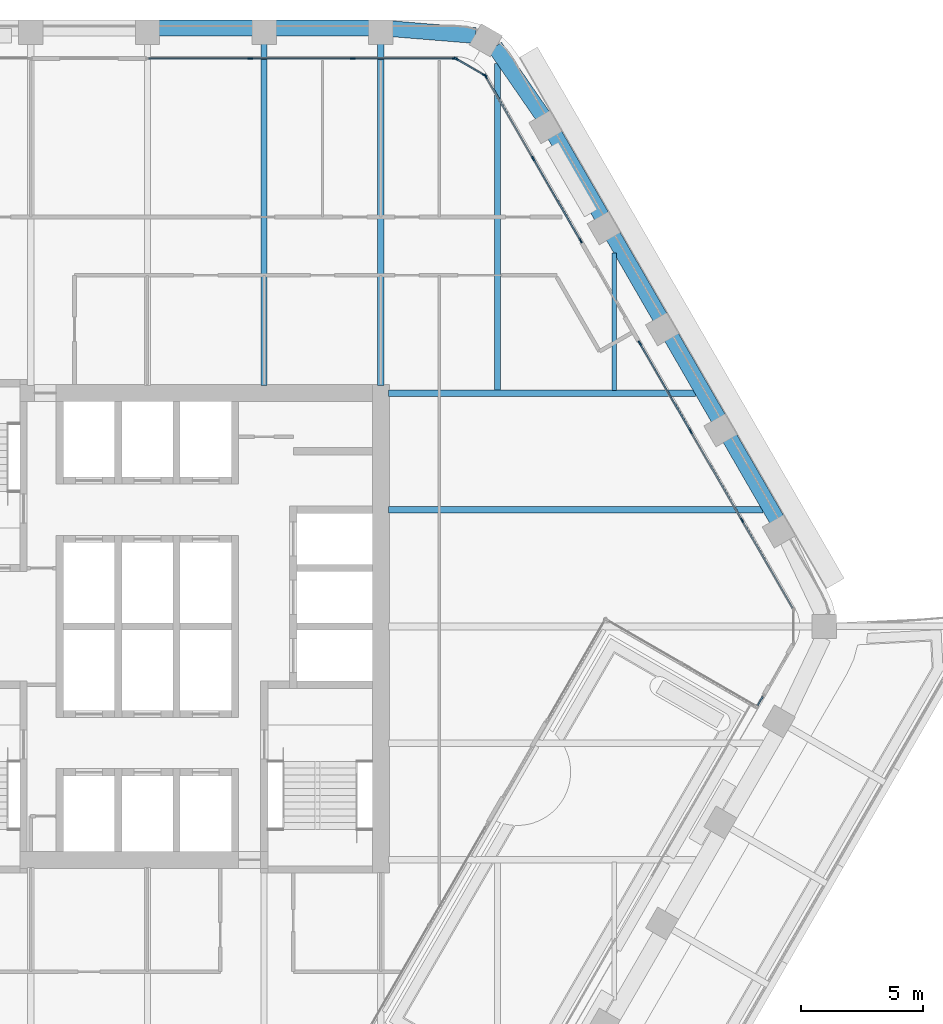
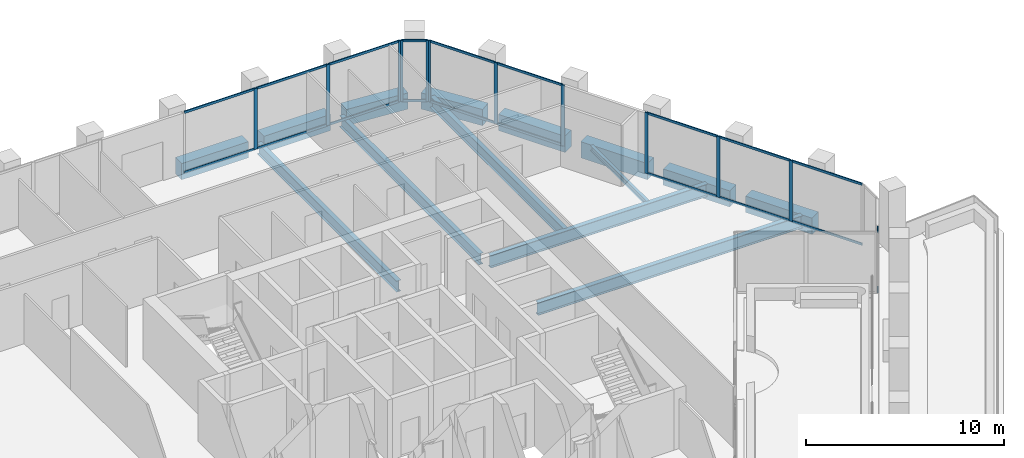
# One storey, part 7 of 17: 31 members, 14 beams, 5 elements without a shape of their own.
"""IFC4 building model written with IfcOpenShell, lengths in metres."""

from ifc_helpers import new_model, si_unit, direction, frame, origin, origin_2d, place, context, subcontext, project, spatial, rectangle, i_section, extrude, material, material_profile, profile_set, type_object, element, aggregate, save


model = new_model("IFC4")

# Units and contexts
model_context = context("Model", 3, precision=1e-05, world=origin(), true_north=direction((0.0, 1.0)))
body_context = subcontext(model_context, "Body", "Model", "MODEL_VIEW")
ifc_project = project(units=[si_unit("LENGTHUNIT", "METRE"), si_unit("AREAUNIT", "SQUARE_METRE"), si_unit("VOLUMEUNIT", "CUBIC_METRE"), si_unit("PLANEANGLEUNIT", "RADIAN"), si_unit("MASSUNIT", "GRAM", prefix="KILO")], contexts=[model_context])

# Site, building, storey
site_placement = place(None, origin())
site = spatial("IfcSite", under=ifc_project, at=site_placement, CompositionType="ELEMENT")
building_placement = place(site_placement, origin())
building = spatial("IfcBuilding", under=site, at=building_placement, Name="Kolab Exchange Tower", CompositionType="ELEMENT")
storey_placement = place(building_placement, frame((0.0, 0.0, 197.300048828125)))
storey = spatial("IfcBuildingStorey", under=building, at=storey_placement, Name="L42", CompositionType="ELEMENT", Elevation=197.300048828125)

# Beams
ifc_material_1 = material(Name="Steel S355", Category="steel")
ifc_material_profile_1 = material_profile(ifc_material_1, i_section(OverallWidth=0.1650390625, OverallDepth=0.31005859375, WebThickness=0.005859375, FlangeThickness=0.009765625, at=origin_2d()), Name="W310X39")
ifc_profile_set_1 = profile_set([ifc_material_profile_1], Name="Steel S355")
beam_type_1 = type_object("IfcBeamType", Name="FLOOR BEAM W310X39", PredefinedType="BEAM", material=ifc_profile_set_1)
beam_1_placement = place(storey_placement, frame((19.199951171875, 9.693603515625, -0.304931640625), z_axis=(0.0, 1.0, 0.0), x_axis=(-1.0, 0.0, 0.0)))
element("IfcBeam", 1, at=beam_1_placement, inside=storey, type_object=beam_type_1, Name="beam/L42/fr/026", PredefinedType="BEAM", context=body_context, shape_type="SweptSolid", body=[
    extrude(i_section(OverallWidth=0.1650390625, OverallDepth=0.31005859375, WebThickness=0.005859375, FlangeThickness=0.009765625, at=origin_2d()), origin(), (0.0, 0.0, 1.0), 5.674072265625),
])
ifc_material_profile_2 = material_profile(ifc_material_1, i_section(OverallWidth=0.25390625, OverallDepth=0.68408203125, WebThickness=0.012451171875, FlangeThickness=0.018798828125, at=origin_2d()), Name="W690X140")
ifc_profile_set_2 = profile_set([ifc_material_profile_2], Name="Steel S355")
beam_type_2 = type_object("IfcBeamType", Name="FLOOR BEAM W690X140", PredefinedType="BEAM", material=ifc_profile_set_2)
for number, where, z_axis, x_axis, name in (
    (2, (4.800048828125, 9.909912109375, -0.491943359375), (0.0, 1.0, 0.0), (-1.0, 0.0, 0.0), "beam/L42/fr/014"),
    (3, (9.60009765625, 9.909912109375, -0.491943359375), (0.0, 1.0, 0.0), (-1.0, 0.0, 0.0), "beam/L42/fr/016"),
):
    element("IfcBeam", number, at=place(storey_placement, frame(where, z_axis=z_axis, x_axis=x_axis)), inside=storey, type_object=beam_type_2, Name=name, PredefinedType="BEAM", context=body_context, shape_type="SweptSolid", body=[
        extrude(i_section(OverallWidth=0.25390625, OverallDepth=0.68408203125, WebThickness=0.012451171875, FlangeThickness=0.018798828125, at=origin_2d()), origin(), (0.0, 0.0, 1.0), 14.071533203125),
    ])
beam_2_placement = place(storey_placement, frame((14.39990234375, 9.693603515625, -0.491943359375), z_axis=(0.0, 1.0, 0.0), x_axis=(-1.0, 0.0, 0.0)))
element("IfcBeam", 4, at=beam_2_placement, inside=storey, type_object=beam_type_2, Name="beam/L42/fr/022", PredefinedType="BEAM", context=body_context, shape_type="SweptSolid", body=[
    extrude(i_section(OverallWidth=0.25390625, OverallDepth=0.68408203125, WebThickness=0.012451171875, FlangeThickness=0.018798828125, at=origin_2d()), origin(), (0.0, 0.0, 1.0), 13.462158203125),
])
ifc_material_profile_3 = material_profile(ifc_material_1, i_section(OverallWidth=0.26708984375, OverallDepth=0.761962890625, WebThickness=0.014404296875, FlangeThickness=0.021484375, at=origin_2d()), Name="W760X173")
ifc_profile_set_3 = profile_set([ifc_material_profile_3], Name="Steel S355")
beam_type_3 = type_object("IfcBeamType", Name="FLOOR BEAM W760X173", PredefinedType="BEAM", material=ifc_profile_set_3)
beam_3_placement = place(storey_placement, frame((9.909912109375, 4.800048828125, -0.531005859375), z_axis=(1.0, 0.0, 0.0), x_axis=(0.0, 1.0, 0.0)))
element("IfcBeam", 5, at=beam_3_placement, inside=storey, type_object=beam_type_3, Name="beam/L42/fr/019", PredefinedType="BEAM", context=body_context, shape_type="SweptSolid", body=[
    extrude(i_section(OverallWidth=0.26708984375, OverallDepth=0.761962890625, WebThickness=0.014404296875, FlangeThickness=0.021484375, at=origin_2d()), origin(), (0.0, 0.0, 1.0), 15.408203125),
])
ifc_material_profile_4 = material_profile(ifc_material_1, i_section(OverallWidth=0.26708984375, OverallDepth=0.761962890625, WebThickness=0.014404296875, FlangeThickness=0.021484375, at=origin_2d()), Name="W760X173")
ifc_profile_set_4 = profile_set([ifc_material_profile_4], Name="Steel S355")
beam_type_4 = type_object("IfcBeamType", Name="FLOOR GIRDER W760X173", PredefinedType="BEAM", material=ifc_profile_set_4)
beam_4_placement = place(storey_placement, frame((9.909912109375, 9.60009765625, -0.531005859375), z_axis=(1.0, 0.0, 0.0), x_axis=(0.0, 1.0, 0.0)))
element("IfcBeam", 6, at=beam_4_placement, inside=storey, type_object=beam_type_4, Name="beam/L42/gd/003", PredefinedType="BEAM", context=body_context, shape_type="SweptSolid", body=[
    extrude(i_section(OverallWidth=0.26708984375, OverallDepth=0.761962890625, WebThickness=0.014404296875, FlangeThickness=0.021484375, at=origin_2d()), origin(), (0.0, 0.0, 1.0), 12.636962890625),
])
ifc_material_2 = material(Name="Concrete C60/75", Category="concrete")
ifc_material_profile_5 = material_profile(ifc_material_2, rectangle(XDim=0.64990234375, YDim=1.0, at=origin_2d()), Name="RC650X1000")
ifc_profile_set_5 = profile_set([ifc_material_profile_5], Name="Concrete C60/75")
beam_type_5 = type_object("IfcBeamType", Name="SPANDREL BEAM 650X1000 C60/75", PredefinedType="BEAM", material=ifc_profile_set_5)
beam_5_placement = place(storey_placement, frame((0.4599609375, 24.616455078125, -0.650146484375), z_axis=(1.0, 0.0, 0.0), x_axis=(0.0, 1.0, 0.0)))
element("IfcBeam", 7, at=beam_5_placement, inside=storey, type_object=beam_type_5, Name="beam/L42/sp/F1-04", PredefinedType="BEAM", context=body_context, shape_type="SweptSolid", body=[
    extrude(rectangle(XDim=0.64990234375, YDim=1.0, at=origin_2d()), origin(), (0.0, 0.0, 1.0), 3.880126953125),
])
beam_6_placement = place(storey_placement, frame((5.260009765625, 24.616455078125, -0.650146484375), z_axis=(1.0, 0.0, 0.0), x_axis=(0.0, 1.0, 0.0)))
element("IfcBeam", 8, at=beam_6_placement, inside=storey, type_object=beam_type_5, Name="beam/L42/sp/F1-05", PredefinedType="BEAM", context=body_context, shape_type="SweptSolid", body=[
    extrude(rectangle(XDim=0.64990234375, YDim=1.0, at=origin_2d()), origin(), (0.0, 0.0, 1.0), 3.8798828125),
])
for number, where, z_axis, x_axis, name in (
    (9, (10.06005859375, 24.5791015625, -0.650146484375), (0.996708497182, -0.081068931445, 0.0), (0.081068931445, 0.996708497182, 0.0), "beam/L42/sp/F1-06"),
    (10, (14.29736328125, 23.8359375, -0.650146484375), (0.568572281073, -0.822633309073, 0.0), (0.822633309073, 0.568572281073, 0.0), "beam/L42/sp/F2-01"),
):
    element("IfcBeam", number, at=place(storey_placement, frame(where, z_axis=z_axis, x_axis=x_axis)), inside=storey, type_object=beam_type_5, Name=name, PredefinedType="BEAM", context=body_context, shape_type="SweptSolid", body=[
        extrude(rectangle(XDim=0.64990234375, YDim=1.0, at=origin_2d()), origin(), (0.0, 0.0, 1.0), 3.445068359375),
    ])
beam_7_placement = place(storey_placement, frame((16.74853515625, 20.2236328125, -0.650146484375), z_axis=(0.499996613652, -0.866027358884, 0.0), x_axis=(0.866027358884, 0.499996613652, 0.0)))
element("IfcBeam", 11, at=beam_7_placement, inside=storey, type_object=beam_type_5, Name="beam/L42/sp/F2-02", PredefinedType="BEAM", context=body_context, shape_type="SweptSolid", body=[
    extrude(rectangle(XDim=0.64990234375, YDim=1.0, at=origin_2d()), origin(), (0.0, 0.0, 1.0), 3.8798828125),
])
beam_8_placement = place(storey_placement, frame((19.1484375, 16.06689453125, -0.650146484375), z_axis=(0.50001655835, -0.866015843605, 0.0), x_axis=(0.866015843605, 0.50001655835, 0.0)))
element("IfcBeam", 12, at=beam_8_placement, inside=storey, type_object=beam_type_5, Name="beam/L42/sp/F2-03", PredefinedType="BEAM", context=body_context, shape_type="SweptSolid", body=[
    extrude(rectangle(XDim=0.64990234375, YDim=1.0, at=origin_2d()), origin(), (0.0, 0.0, 1.0), 3.880126953125),
])
for number, where, z_axis, x_axis, name in (
    (13, (21.548583984375, 11.909912109375, -0.650146484375), (0.499996613652, -0.866027358884, 0.0), (0.866027358884, 0.499996613652, 0.0), "beam/L42/sp/F2-04"),
    (14, (23.948486328125, 7.7529296875, -0.650146484375), (0.499996613652, -0.866027358884, 0.0), (0.866027358884, 0.499996613652, 0.0), "beam/L42/sp/F2-05"),
):
    element("IfcBeam", number, at=place(storey_placement, frame(where, z_axis=z_axis, x_axis=x_axis)), inside=storey, type_object=beam_type_5, Name=name, PredefinedType="BEAM", context=body_context, shape_type="SweptSolid", body=[
        extrude(rectangle(XDim=0.64990234375, YDim=1.0, at=origin_2d()), origin(), (0.0, 0.0, 1.0), 3.8798828125),
    ])

# Curtain wall, members
ifc_material_3 = material(Name="Aluminium EN AW-6063 T6", Category="aluminium")
curtain_wall_type = type_object("IfcCurtainWallType", Name="UNITISED UPPER MID ZONE CURTAIN WALL", PredefinedType="NOTDEFINED", material=ifc_material_3)
curtain_wall_1_placement = place(storey_placement, origin())
curtain_wall_1 = element("IfcCurtainWall", 15, at=curtain_wall_1_placement, inside=storey, type_object=curtain_wall_type, Name="cw/L42/F1-2", PredefinedType="NOTDEFINED")
ifc_material_profile_6 = material_profile(ifc_material_3, rectangle(XDim=0.06005859375, YDim=0.199951171875, at=origin_2d()), Name="RECT 60X200")
ifc_profile_set_6 = profile_set([ifc_material_profile_6], Name="Aluminium EN AW-6063 T6")
member_type_1 = type_object("IfcMemberType", Name="UNITISED UPPER MID ZONE MULLION 60 X 200", PredefinedType="MULLION", material=ifc_profile_set_6)
member_1_placement = place(storey_placement, frame((4.22265625, 23.361572265625, 0.0), z_axis=(0.0, 0.0, 1.0), x_axis=(0.0, 1.0, 0.0)))
member_1 = element("IfcMember", 16, at=member_1_placement, type_object=member_type_1, Name="CW3 mullion 2", PredefinedType="MULLION", context=body_context, shape_type="SweptSolid", body=[
    extrude(rectangle(XDim=0.06005859375, YDim=0.199951171875, at=origin_2d()), origin(), (0.0, 0.0, 1.0), 3.75),
])
member_2_placement = place(storey_placement, frame((8.4453125, 23.361572265625, 0.0), z_axis=(0.0, 0.0, 1.0), x_axis=(0.0, 1.0, 0.0)))
member_2 = element("IfcMember", 17, at=member_2_placement, type_object=member_type_1, Name="CW3 mullion 3", PredefinedType="MULLION", context=body_context, shape_type="SweptSolid", body=[
    extrude(rectangle(XDim=0.06005859375, YDim=0.199951171875, at=origin_2d()), origin(), (0.0, 0.0, 1.0), 3.75),
])
member_3_placement = place(storey_placement, frame((12.637939453125, 23.361572265625, 0.0), z_axis=(0.0, 0.0, 1.0), x_axis=(0.0, 1.0, 0.0)))
member_3 = element("IfcMember", 18, at=member_3_placement, type_object=member_type_1, Name="CW3 mullion 4", PredefinedType="MULLION", context=body_context, shape_type="SweptSolid", body=[
    extrude(rectangle(XDim=0.06005859375, YDim=0.199951171875, at=origin_2d()), origin(), (0.0, 0.0, 1.0), 3.75),
])

curtain_wall_2_placement = place(storey_placement, origin())
curtain_wall_2 = element("IfcCurtainWall", 19, at=curtain_wall_2_placement, inside=storey, type_object=curtain_wall_type, Name="cw/L42/F2-1", PredefinedType="NOTDEFINED")
member_4_placement = place(storey_placement, frame((13.91259765625, 22.62548828125, 0.0), z_axis=(0.0, 0.0, 1.0), x_axis=(0.866025385493, 0.500000031681, 0.0)))
member_4 = element("IfcMember", 20, at=member_4_placement, type_object=member_type_1, Name="CW3 mullion 1", PredefinedType="MULLION", context=body_context, shape_type="SweptSolid", body=[
    extrude(rectangle(XDim=0.06005859375, YDim=0.199951171875, at=origin_2d()), origin(), (0.0, 0.0, 1.0), 3.75),
])
member_5_placement = place(storey_placement, frame((15.86474609375, 19.24462890625, 0.0), z_axis=(0.0, 0.0, 1.0), x_axis=(0.866025385493, 0.500000031681, 0.0)))
member_5 = element("IfcMember", 21, at=member_5_placement, type_object=member_type_1, Name="CW3 mullion 2", PredefinedType="MULLION", context=body_context, shape_type="SweptSolid", body=[
    extrude(rectangle(XDim=0.06005859375, YDim=0.199951171875, at=origin_2d()), origin(), (0.0, 0.0, 1.0), 3.75),
])
member_6_placement = place(storey_placement, frame((17.816650390625, 15.86376953125, 0.0), z_axis=(0.0, 0.0, 1.0), x_axis=(0.866025385493, 0.500000031681, 0.0)))
member_6 = element("IfcMember", 22, at=member_6_placement, type_object=member_type_1, Name="CW3 mullion 3", PredefinedType="MULLION", context=body_context, shape_type="SweptSolid", body=[
    extrude(rectangle(XDim=0.06005859375, YDim=0.199951171875, at=origin_2d()), origin(), (0.0, 0.0, 1.0), 3.75),
])

curtain_wall_3_placement = place(storey_placement, origin())
curtain_wall_3 = element("IfcCurtainWall", 23, at=curtain_wall_3_placement, inside=storey, type_object=curtain_wall_type, Name="cw/L42/F2-2", PredefinedType="NOTDEFINED")
member_7_placement = place(storey_placement, frame((20.24658203125, 11.65478515625, 0.0), z_axis=(0.0, 0.0, 1.0), x_axis=(0.866025427826, 0.499999958358, 0.0)))
member_7 = element("IfcMember", 24, at=member_7_placement, type_object=member_type_1, Name="CW3 mullion 1", PredefinedType="MULLION", context=body_context, shape_type="SweptSolid", body=[
    extrude(rectangle(XDim=0.06005859375, YDim=0.199951171875, at=origin_2d()), origin(), (0.0, 0.0, 1.0), 3.75),
])
member_8_placement = place(storey_placement, frame((22.343017578125, 8.02392578125, 0.0), z_axis=(0.0, 0.0, 1.0), x_axis=(0.866025427826, 0.499999958358, 0.0)))
member_8 = element("IfcMember", 25, at=member_8_placement, type_object=member_type_1, Name="CW3 mullion 2", PredefinedType="MULLION", context=body_context, shape_type="SweptSolid", body=[
    extrude(rectangle(XDim=0.06005859375, YDim=0.199951171875, at=origin_2d()), origin(), (0.0, 0.0, 1.0), 3.75),
])
member_9_placement = place(storey_placement, frame((24.454345703125, 4.366943359375, 0.0), z_axis=(0.0, 0.0, 1.0), x_axis=(0.866025427826, 0.499999958358, 0.0)))
member_9 = element("IfcMember", 26, at=member_9_placement, type_object=member_type_1, Name="CW3 mullion 3", PredefinedType="MULLION", context=body_context, shape_type="SweptSolid", body=[
    extrude(rectangle(XDim=0.06005859375, YDim=0.199951171875, at=origin_2d()), origin(), (0.0, 0.0, 1.0), 3.75),
])

curtain_wall_4_placement = place(storey_placement, origin())
curtain_wall_4 = element("IfcCurtainWall", 27, at=curtain_wall_4_placement, inside=storey, type_object=curtain_wall_type, Name="cw/L42/F1F2-corner", PredefinedType="NOTDEFINED")
member_10_placement = place(storey_placement, frame((12.69384765625, 23.346435546875, 0.0), z_axis=(0.0, 0.0, 1.0), x_axis=(0.50000002237, 0.866025390869, 0.0)))
member_10 = element("IfcMember", 28, at=member_10_placement, type_object=member_type_1, Name="CW3 mullion 1", PredefinedType="MULLION", context=body_context, shape_type="SweptSolid", body=[
    extrude(rectangle(XDim=0.06005859375, YDim=0.199951171875, at=origin_2d()), origin(), (0.0, 0.0, 1.0), 3.75),
])
member_11_placement = place(storey_placement, frame((13.871826171875, 22.66650390625, 0.0), z_axis=(0.0, 0.0, 1.0), x_axis=(0.50000002237, 0.866025390869, 0.0)))
member_11 = element("IfcMember", 29, at=member_11_placement, type_object=member_type_1, Name="CW3 mullion 2", PredefinedType="MULLION", context=body_context, shape_type="SweptSolid", body=[
    extrude(rectangle(XDim=0.06005859375, YDim=0.199951171875, at=origin_2d()), origin(), (0.0, 0.0, 1.0), 3.75),
])

# Member
ifc_material_profile_7 = material_profile(ifc_material_3, rectangle(XDim=0.06005859375, YDim=0.139892578125, at=origin_2d()), Name="RECT 60X140")
ifc_profile_set_7 = profile_set([ifc_material_profile_7], Name="Aluminium EN AW-6063 T6")
member_type_2 = type_object("IfcMemberType", Name="UNITISED UPPER MID ZONE TRANSOM 60 X 140", PredefinedType="USERDEFINED", material=ifc_profile_set_7)
member_12_placement = place(storey_placement, frame((0.06005859375, 23.361572265625, 0.030029296875), z_axis=(1.0, 0.0, 0.0), x_axis=(0.0, 1.0, 0.0)))
member_12 = element("IfcMember", 30, at=member_12_placement, type_object=member_type_2, Name="CW3 transom 1.1", ObjectType="TRANSOM", PredefinedType="USERDEFINED", context=body_context, shape_type="SweptSolid", body=[
    extrude(rectangle(XDim=0.06005859375, YDim=0.139892578125, at=origin_2d()), origin(), (0.0, 0.0, 1.0), 4.132568359375),
])

member_13_placement = place(storey_placement, frame((0.06005859375, 23.361572265625, 3.719970703125), z_axis=(1.0, 0.0, 0.0), x_axis=(0.0, 1.0, 0.0)))
member_13 = element("IfcMember", 31, at=member_13_placement, type_object=member_type_2, Name="CW3 transom 1.2", ObjectType="TRANSOM", PredefinedType="USERDEFINED", context=body_context, shape_type="SweptSolid", body=[
    extrude(rectangle(XDim=0.06005859375, YDim=0.139892578125, at=origin_2d()), origin(), (0.0, 0.0, 1.0), 4.132568359375),
])

member_14_placement = place(storey_placement, frame((4.252685546875, 23.361572265625, 0.030029296875), z_axis=(1.0, 0.0, 0.0), x_axis=(0.0, 1.0, 0.0)))
member_14 = element("IfcMember", 32, at=member_14_placement, type_object=member_type_2, Name="CW3 transom 2.1", ObjectType="TRANSOM", PredefinedType="USERDEFINED", context=body_context, shape_type="SweptSolid", body=[
    extrude(rectangle(XDim=0.06005859375, YDim=0.139892578125, at=origin_2d()), origin(), (0.0, 0.0, 1.0), 4.16259765625),
])

member_15_placement = place(storey_placement, frame((4.252685546875, 23.361572265625, 3.719970703125), z_axis=(1.0, 0.0, 0.0), x_axis=(0.0, 1.0, 0.0)))
member_15 = element("IfcMember", 33, at=member_15_placement, type_object=member_type_2, Name="CW3 transom 2.2", ObjectType="TRANSOM", PredefinedType="USERDEFINED", context=body_context, shape_type="SweptSolid", body=[
    extrude(rectangle(XDim=0.06005859375, YDim=0.139892578125, at=origin_2d()), origin(), (0.0, 0.0, 1.0), 4.16259765625),
])

member_16_placement = place(storey_placement, frame((8.475341796875, 23.361572265625, 0.030029296875), z_axis=(1.0, 0.0, 0.0), x_axis=(0.0, 1.0, 0.0)))
member_16 = element("IfcMember", 34, at=member_16_placement, type_object=member_type_2, Name="CW3 transom 3.1", ObjectType="TRANSOM", PredefinedType="USERDEFINED", context=body_context, shape_type="SweptSolid", body=[
    extrude(rectangle(XDim=0.06005859375, YDim=0.139892578125, at=origin_2d()), origin(), (0.0, 0.0, 1.0), 4.132568359375),
])

member_17_placement = place(storey_placement, frame((8.475341796875, 23.361572265625, 3.719970703125), z_axis=(1.0, 0.0, 0.0), x_axis=(0.0, 1.0, 0.0)))
member_17 = element("IfcMember", 35, at=member_17_placement, type_object=member_type_2, Name="CW3 transom 3.2", ObjectType="TRANSOM", PredefinedType="USERDEFINED", context=body_context, shape_type="SweptSolid", body=[
    extrude(rectangle(XDim=0.06005859375, YDim=0.139892578125, at=origin_2d()), origin(), (0.0, 0.0, 1.0), 4.132568359375),
])

aggregate(curtain_wall_1, [member_1, member_2, member_3, member_12, member_13, member_14, member_15, member_16, member_17])

member_18_placement = place(storey_placement, frame((13.927734375, 22.599609375, 0.030029296875), z_axis=(0.499964356602, -0.866045981532, 0.0), x_axis=(0.866045981532, 0.499964356602, 0.0)))
member_18 = element("IfcMember", 36, at=member_18_placement, type_object=member_type_2, Name="CW3 transom 1.1", ObjectType="TRANSOM", PredefinedType="USERDEFINED", context=body_context, shape_type="SweptSolid", body=[
    extrude(rectangle(XDim=0.06005859375, YDim=0.139892578125, at=origin_2d()), origin(), (0.0, 0.0, 1.0), 3.843994140625),
])

member_19_placement = place(storey_placement, frame((13.927734375, 22.599609375, 3.719970703125), z_axis=(0.499964356602, -0.866045981532, 0.0), x_axis=(0.866045981532, 0.499964356602, 0.0)))
member_19 = element("IfcMember", 37, at=member_19_placement, type_object=member_type_2, Name="CW3 transom 1.2", ObjectType="TRANSOM", PredefinedType="USERDEFINED", context=body_context, shape_type="SweptSolid", body=[
    extrude(rectangle(XDim=0.06005859375, YDim=0.139892578125, at=origin_2d()), origin(), (0.0, 0.0, 1.0), 3.843994140625),
])

member_20_placement = place(storey_placement, frame((15.879638671875, 19.21875, 0.030029296875), z_axis=(0.500011990396, -0.866018481016, 0.0), x_axis=(0.866018481016, 0.500011990396, 0.0)))
member_20 = element("IfcMember", 38, at=member_20_placement, type_object=member_type_2, Name="CW3 transom 2.1", ObjectType="TRANSOM", PredefinedType="USERDEFINED", context=body_context, shape_type="SweptSolid", body=[
    extrude(rectangle(XDim=0.06005859375, YDim=0.139892578125, at=origin_2d()), origin(), (0.0, 0.0, 1.0), 3.84423828125),
])

member_21_placement = place(storey_placement, frame((15.879638671875, 19.21875, 3.719970703125), z_axis=(0.500011990396, -0.866018481016, 0.0), x_axis=(0.866018481016, 0.500011990396, 0.0)))
member_21 = element("IfcMember", 39, at=member_21_placement, type_object=member_type_2, Name="CW3 transom 2.2", ObjectType="TRANSOM", PredefinedType="USERDEFINED", context=body_context, shape_type="SweptSolid", body=[
    extrude(rectangle(XDim=0.06005859375, YDim=0.139892578125, at=origin_2d()), origin(), (0.0, 0.0, 1.0), 3.84423828125),
])

aggregate(curtain_wall_2, [member_4, member_5, member_6, member_18, member_19, member_20, member_21])

member_22_placement = place(storey_placement, frame((20.26171875, 11.62890625, 0.030029296875), z_axis=(0.500001996123, -0.866024251319, 0.0), x_axis=(0.866024251319, 0.500001996123, 0.0)))
member_22 = element("IfcMember", 40, at=member_22_placement, type_object=member_type_2, Name="CW3 transom 1.1", ObjectType="TRANSOM", PredefinedType="USERDEFINED", context=body_context, shape_type="SweptSolid", body=[
    extrude(rectangle(XDim=0.06005859375, YDim=0.139892578125, at=origin_2d()), origin(), (0.0, 0.0, 1.0), 4.1328125),
])

member_23_placement = place(storey_placement, frame((20.26171875, 11.62890625, 3.719970703125), z_axis=(0.500001996123, -0.866024251319, 0.0), x_axis=(0.866024251319, 0.500001996123, 0.0)))
member_23 = element("IfcMember", 41, at=member_23_placement, type_object=member_type_2, Name="CW3 transom 1.2", ObjectType="TRANSOM", PredefinedType="USERDEFINED", context=body_context, shape_type="SweptSolid", body=[
    extrude(rectangle(XDim=0.06005859375, YDim=0.139892578125, at=origin_2d()), origin(), (0.0, 0.0, 1.0), 4.1328125),
])

member_24_placement = place(storey_placement, frame((22.35791015625, 7.997802734375, 0.030029296875), z_axis=(0.49999322259, -0.866029316688, 0.0), x_axis=(0.866029316688, 0.49999322259, 0.0)))
member_24 = element("IfcMember", 42, at=member_24_placement, type_object=member_type_2, Name="CW3 transom 2.1", ObjectType="TRANSOM", PredefinedType="USERDEFINED", context=body_context, shape_type="SweptSolid", body=[
    extrude(rectangle(XDim=0.06005859375, YDim=0.139892578125, at=origin_2d()), origin(), (0.0, 0.0, 1.0), 4.16259765625),
])

member_25_placement = place(storey_placement, frame((22.35791015625, 7.997802734375, 3.719970703125), z_axis=(0.49999322259, -0.866029316688, 0.0), x_axis=(0.866029316688, 0.49999322259, 0.0)))
member_25 = element("IfcMember", 43, at=member_25_placement, type_object=member_type_2, Name="CW3 transom 2.2", ObjectType="TRANSOM", PredefinedType="USERDEFINED", context=body_context, shape_type="SweptSolid", body=[
    extrude(rectangle(XDim=0.06005859375, YDim=0.139892578125, at=origin_2d()), origin(), (0.0, 0.0, 1.0), 4.16259765625),
])

member_26_placement = place(storey_placement, frame((24.46923828125, 4.3408203125, 0.030029296875), z_axis=(0.500027577057, -0.866009481578, 0.0), x_axis=(0.866009481578, 0.500027577057, 0.0)))
member_26 = element("IfcMember", 44, at=member_26_placement, type_object=member_type_2, Name="CW3 transom 3.1", ObjectType="TRANSOM", PredefinedType="USERDEFINED", context=body_context, shape_type="SweptSolid", body=[
    extrude(rectangle(XDim=0.06005859375, YDim=0.139892578125, at=origin_2d()), origin(), (0.0, 0.0, 1.0), 4.132568359375),
])

member_27_placement = place(storey_placement, frame((24.46923828125, 4.3408203125, 3.719970703125), z_axis=(0.500027577057, -0.866009481578, 0.0), x_axis=(0.866009481578, 0.500027577057, 0.0)))
member_27 = element("IfcMember", 45, at=member_27_placement, type_object=member_type_2, Name="CW3 transom 3.2", ObjectType="TRANSOM", PredefinedType="USERDEFINED", context=body_context, shape_type="SweptSolid", body=[
    extrude(rectangle(XDim=0.06005859375, YDim=0.139892578125, at=origin_2d()), origin(), (0.0, 0.0, 1.0), 4.132568359375),
])

aggregate(curtain_wall_3, [member_7, member_8, member_9, member_22, member_23, member_24, member_25, member_26, member_27])

# Curtain wall, members
curtain_wall_5_placement = place(storey_placement, origin())
curtain_wall_5 = element("IfcCurtainWall", 46, at=curtain_wall_5_placement, inside=storey, type_object=curtain_wall_type, Name="cw/L42/F3-l-1", PredefinedType="NOTDEFINED")
member_28_placement = place(storey_placement, frame((25.3056640625, -2.892333984375, 0.030029296875), z_axis=(-0.500257658649, -0.86587659338, 0.0), x_axis=(0.86587659338, -0.500257658649, 0.0)))
member_28 = element("IfcMember", 47, at=member_28_placement, type_object=member_type_2, Name="CW3 transom 1.1", ObjectType="TRANSOM", PredefinedType="USERDEFINED", context=body_context, shape_type="SweptSolid", body=[
    extrude(rectangle(XDim=0.06005859375, YDim=0.139892578125, at=origin_2d()), origin(), (0.0, 0.0, 1.0), 0.407958984375),
])
member_29_placement = place(storey_placement, frame((25.3056640625, -2.892333984375, 3.719970703125), z_axis=(-0.500257658649, -0.86587659338, 0.0), x_axis=(0.86587659338, -0.500257658649, 0.0)))
member_29 = element("IfcMember", 48, at=member_29_placement, type_object=member_type_2, Name="CW3 transom 1.2", ObjectType="TRANSOM", PredefinedType="USERDEFINED", context=body_context, shape_type="SweptSolid", body=[
    extrude(rectangle(XDim=0.06005859375, YDim=0.139892578125, at=origin_2d()), origin(), (0.0, 0.0, 1.0), 0.407958984375),
])
aggregate(curtain_wall_5, [member_28, member_29])

# Member
member_30_placement = place(storey_placement, frame((12.719970703125, 23.33154296875, 0.030029296875), z_axis=(0.86603858612, -0.49997716683, 0.0), x_axis=(0.49997716683, 0.86603858612, 0.0)))
member_30 = element("IfcMember", 49, at=member_30_placement, type_object=member_type_2, Name="CW3 transom 1.1", ObjectType="TRANSOM", PredefinedType="USERDEFINED", context=body_context, shape_type="SweptSolid", body=[
    extrude(rectangle(XDim=0.06005859375, YDim=0.139892578125, at=origin_2d()), origin(), (0.0, 0.0, 1.0), 1.2998046875),
])

member_31_placement = place(storey_placement, frame((12.719970703125, 23.33154296875, 3.719970703125), z_axis=(0.86603858612, -0.49997716683, 0.0), x_axis=(0.49997716683, 0.86603858612, 0.0)))
member_31 = element("IfcMember", 50, at=member_31_placement, type_object=member_type_2, Name="CW3 transom 1.2", ObjectType="TRANSOM", PredefinedType="USERDEFINED", context=body_context, shape_type="SweptSolid", body=[
    extrude(rectangle(XDim=0.06005859375, YDim=0.139892578125, at=origin_2d()), origin(), (0.0, 0.0, 1.0), 1.2998046875),
])

aggregate(curtain_wall_4, [member_10, member_11, member_30, member_31])

save(model, "model.ifc")
